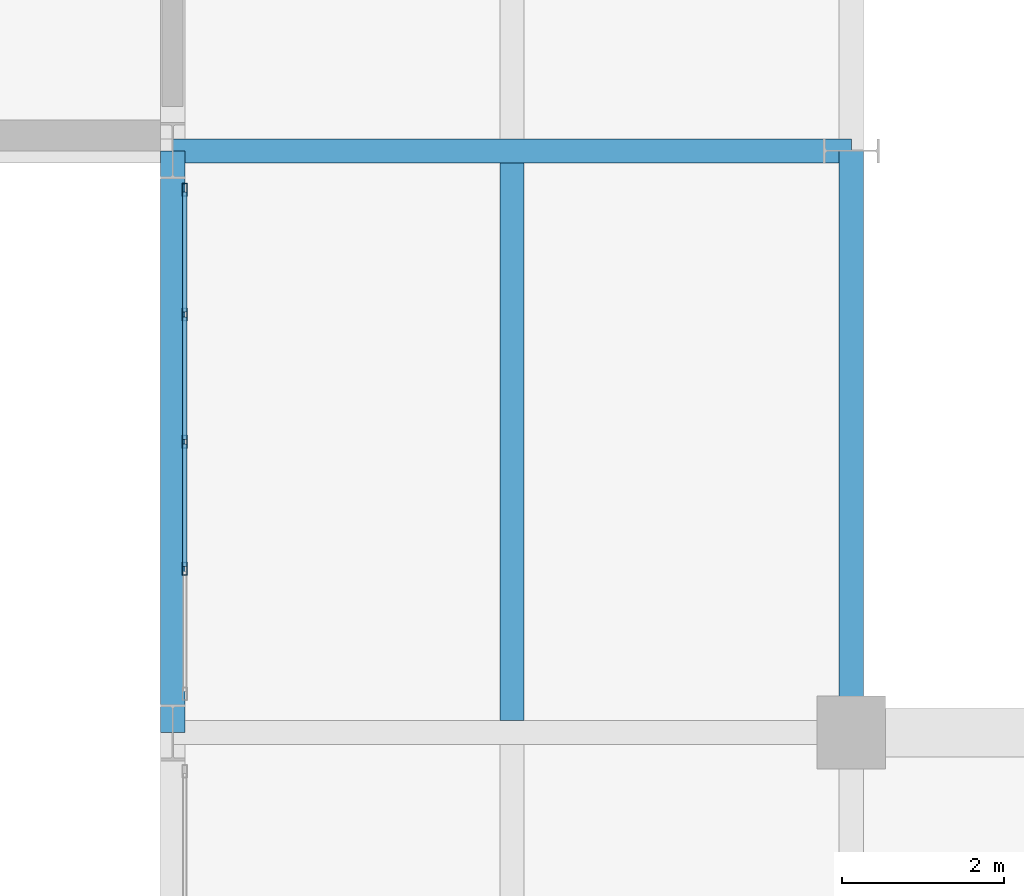
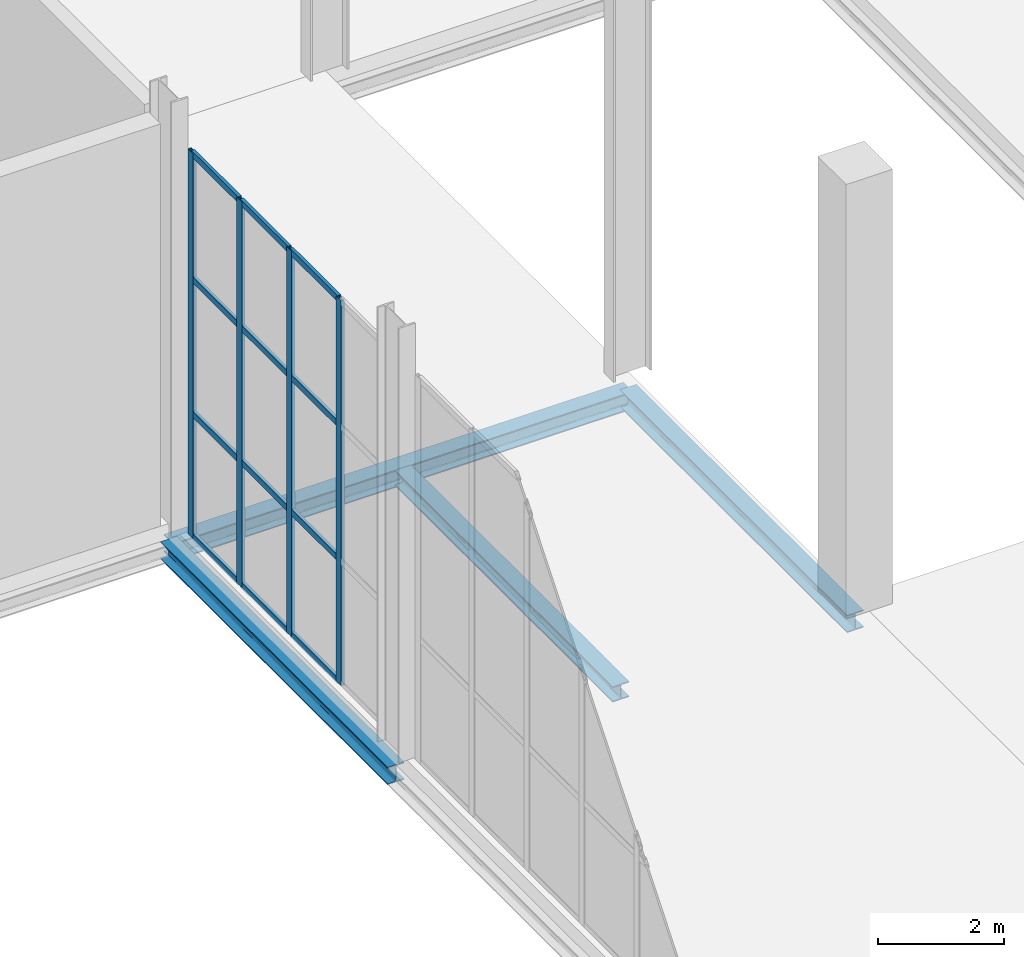
# One storey, part 21 of 131: 16 members, 4 beams, 1 element without a shape of its own.
"""IFC4 building model written with IfcOpenShell, lengths in metres."""

import ifcopenshell
import ifcopenshell.guid

model = None  # the IFC model being written
_history = None  # IfcOwnerHistory: only IFC2X3 demands one
_inside = {}  # id of a spatial element -> (the spatial element, [elements in it])
_under = {}  # id of a project, library or spatial element -> (it, [spatial elements below it])
_declared = {}  # id of a project -> (the project, [libraries it declares])
_typed = {}  # id of a type object -> (the type object, [elements of that type])
_made_of = {}  # id of a material, layer set ... -> (it, [elements and type objects made of it])


def new_model(schema):
    """Start an empty IFC model of exactly this schema.

    Asked for "IFC4X3", IfcOpenShell would pick the latest addendum, in which some entities
    have other attributes; the version numbers below select the first issue.
    IFC2X3 requires an IfcOwnerHistory on every rooted entity: one is made here for all.
    """
    global model, _history
    if schema == "IFC4X3":
        model = ifcopenshell.file(schema_version=(4, 3, 0, 0))
    else:
        model = ifcopenshell.file(schema=schema)
    _inside.clear()
    _under.clear()
    _declared.clear()
    _typed.clear()
    _made_of.clear()
    _history = None
    if model.schema == "IFC2X3":
        org = make("IfcOrganization", Name="unknown")
        user = make(
            "IfcPersonAndOrganization",
            ThePerson=make("IfcPerson", FamilyName="unknown"),
            TheOrganization=org,
        )
        app = make(
            "IfcApplication",
            ApplicationDeveloper=org,
            Version="unknown",
            ApplicationFullName="unknown",
            ApplicationIdentifier="unknown",
        )
        _history = make(
            "IfcOwnerHistory",
            OwningUser=user,
            OwningApplication=app,
            ChangeAction="ADDED",
            CreationDate=0,
        )
    return model


def make(cls, **values):
    """One entity of the class cls with the attributes given. An attribute that is None is left unset."""
    return model.create_entity(
        cls, **{name: value for name, value in values.items() if value is not None}
    )


def rooted(cls, **values):
    """An entity with a GlobalId (a new one), such as an element, a storey or a relation."""
    return make(cls, GlobalId=ifcopenshell.guid.new(), OwnerHistory=_history, **values)


def si_unit(unit_type, name, prefix=None):
    """IfcSIUnit, for example si_unit("LENGTHUNIT", "METRE", prefix="MILLI")."""
    return make("IfcSIUnit", UnitType=unit_type, Prefix=prefix, Name=name)


def assignment(units):
    """IfcUnitAssignment: the units of a project."""
    return None if units is None else make("IfcUnitAssignment", Units=units)


def point(xyz):
    """IfcCartesianPoint."""
    return None if xyz is None else make("IfcCartesianPoint", Coordinates=xyz)


def direction(xyz):
    """IfcDirection."""
    return None if xyz is None else make("IfcDirection", DirectionRatios=xyz)


def frame(location, z_axis=None, x_axis=None):
    """IfcAxis2Placement3D, a coordinate frame: its origin and axes. An axis left out is left unset."""
    return make(
        "IfcAxis2Placement3D",
        Location=point(location),
        Axis=direction(z_axis),
        RefDirection=direction(x_axis),
    )


def frame_2d(location, x_axis=None):
    """IfcAxis2Placement2D, a coordinate frame in the plane: its origin and x axis."""
    return make(
        "IfcAxis2Placement2D", Location=point(location), RefDirection=direction(x_axis)
    )


def origin():
    """The frame at (0, 0, 0) with its axes left unset."""
    return frame((0.0, 0.0, 0.0))


def origin_2d():
    """The frame at (0, 0) in the plane with its x axis left unset."""
    return frame_2d((0.0, 0.0))


def place(relative_to, where):
    """IfcLocalPlacement: puts the frame where relative to a parent placement (None: the world)."""
    return make(
        "IfcLocalPlacement", PlacementRelTo=relative_to, RelativePlacement=where
    )


def context(
    kind, dimensions, precision=None, world=None, true_north=None, identifier=None
):
    """IfcGeometricRepresentationContext, for example the 3D "Model" context."""
    return make(
        "IfcGeometricRepresentationContext",
        ContextIdentifier=identifier,
        ContextType=kind,
        CoordinateSpaceDimension=dimensions,
        Precision=precision,
        WorldCoordinateSystem=world,
        TrueNorth=true_north,
    )


def subcontext(parent, identifier, kind, view, scale=None):
    """IfcGeometricRepresentationSubContext, for example "Body" below "Model"."""
    return make(
        "IfcGeometricRepresentationSubContext",
        ContextIdentifier=identifier,
        ContextType=kind,
        ParentContext=parent,
        TargetScale=scale,
        TargetView=view,
    )


def project(units=None, contexts=None):
    """IfcProject with its units and contexts."""
    return rooted(
        "IfcProject",
        Name="project",
        RepresentationContexts=contexts,
        UnitsInContext=assignment(units),
    )


def spatial(cls, under=None, at=None, **own):
    """A site, building, storey or space (cls), placed at a placement, below another one or the project."""
    s = rooted(cls, ObjectPlacement=at, **own)
    if under is not None:
        _under.setdefault(under.id(), (under, []))[1].append(s)
    return s


def profile(cls, at=None, kind="AREA", **sizes):
    """A parametric profile (cls). Its sizes go by their IFC names, for example OverallWidth=200.0."""
    return make(cls, ProfileType=kind, Position=at, **sizes)


def hollow_rectangle(**sizes):
    """IfcRectangleHollowProfileDef."""
    return profile("IfcRectangleHollowProfileDef", **sizes)


def i_section(**sizes):
    """IfcIShapeProfileDef."""
    return profile("IfcIShapeProfileDef", **sizes)


def extrude(swept, where, along, depth):
    """IfcExtrudedAreaSolid: the profile swept, set in the frame where, extruded along a direction by depth."""
    return make(
        "IfcExtrudedAreaSolid",
        SweptArea=swept,
        Position=where,
        ExtrudedDirection=direction(along),
        Depth=depth,
    )


def shape(context_of_items, identifier, shape_type, items):
    """IfcShapeRepresentation: the items that make up one representation, for example the "Body"."""
    return make(
        "IfcShapeRepresentation",
        ContextOfItems=context_of_items,
        RepresentationIdentifier=identifier,
        RepresentationType=shape_type,
        Items=items,
    )


def material(Name=None, Category=None):
    """IfcMaterial."""
    return make("IfcMaterial", Name=Name, Category=Category)


def material_profile(
    of_material, cross_section, Name=None, Category=None, Priority=None
):
    """IfcMaterialProfile: a cross section and its material."""
    return make(
        "IfcMaterialProfile",
        Name=Name,
        Material=of_material,
        Profile=cross_section,
        Priority=Priority,
        Category=Category,
    )


def profile_set(profiles, Name=None, composite=None):
    """IfcMaterialProfileSet."""
    return make(
        "IfcMaterialProfileSet",
        Name=Name,
        MaterialProfiles=profiles,
        CompositeProfile=composite,
    )


def made_of(thing, what):
    """Note that an element or type object is made of a material, layer set ...; save() writes the relation."""
    if what is not None:
        _made_of.setdefault(what.id(), (what, []))[1].append(thing)
    return thing


def type_object(cls, material=None, **own):
    """A type object (cls), such as IfcWallType, which elements share."""
    return made_of(rooted(cls, **own), material)


def element(
    cls,
    number,
    at=None,
    inside=None,
    cuts=None,
    type_object=None,
    material=None,
    context=None,
    identifier="Body",
    shape_type=None,
    held_by="IfcProductDefinitionShape",
    body=None,
    shapes=None,
    **own,
):
    """One element of the class cls, such as IfcWall. Its Tag is "e" and its number.

    at: its placement. inside: the storey or other place that contains it. cuts: it is an
    opening in that element (IfcRelVoidsElement). A single representation is given by context,
    identifier, shape_type and body (its items); several are given by shapes. held_by: the class
    of the entity that holds the representations. save() writes the other relations.
    """
    e = rooted(cls, Tag="e%d" % number, ObjectPlacement=at, **own)
    if body is not None:
        shapes = [shape(context, identifier, shape_type, body)]
    if shapes is not None:
        e.Representation = make(held_by, Representations=shapes)
    if inside is not None:
        _inside.setdefault(inside.id(), (inside, []))[1].append(e)
    if cuts is not None:
        rooted(
            "IfcRelVoidsElement", RelatingBuildingElement=cuts, RelatedOpeningElement=e
        )
    if type_object is not None:
        _typed.setdefault(type_object.id(), (type_object, []))[1].append(e)
    return made_of(e, material)


def aggregate(whole, parts):
    """IfcRelAggregates: a whole, such as a stair, and the parts it consists of."""
    return rooted("IfcRelAggregates", RelatingObject=whole, RelatedObjects=parts)


def save(model, path):
    """Write the relations noted so far, then the file.

    IfcRelAggregates (storeys below a building ...), IfcRelContainedInSpatialStructure (elements
    in a storey), IfcRelDefinesByType, IfcRelAssociatesMaterial and IfcRelDeclares: one each for
    every whole, place, type object, material and project.
    """
    for whole, parts in _under.values():
        aggregate(whole, parts)
    for where, things in _inside.values():
        rooted(
            "IfcRelContainedInSpatialStructure",
            RelatedElements=things,
            RelatingStructure=where,
        )
    for kind, things in _typed.values():
        rooted("IfcRelDefinesByType", RelatedObjects=things, RelatingType=kind)
    for what, things in _made_of.values():
        rooted("IfcRelAssociatesMaterial", RelatedObjects=things, RelatingMaterial=what)
    for by, libraries in _declared.values():
        rooted("IfcRelDeclares", RelatingContext=by, RelatedDefinitions=libraries)
    model.write(path)


model = new_model("IFC4")

# Units and contexts
model_context = context("Model", 3, precision=1e-05, world=origin(), true_north=direction((0.0, 1.0)))
body_context = subcontext(model_context, "Body", "Model", "MODEL_VIEW")
ifc_project = project(units=[si_unit("LENGTHUNIT", "METRE"), si_unit("AREAUNIT", "SQUARE_METRE"), si_unit("VOLUMEUNIT", "CUBIC_METRE"), si_unit("PLANEANGLEUNIT", "RADIAN"), si_unit("MASSUNIT", "GRAM", prefix="KILO")], contexts=[model_context])

# Site, building, storey
site_placement = place(None, origin())
site = spatial("IfcSite", under=ifc_project, at=site_placement, CompositionType="ELEMENT")
building_placement = place(site_placement, origin())
building = spatial("IfcBuilding", under=site, at=building_placement, Name="Veltarok Museum of Natural Sciences", CompositionType="ELEMENT")
storey_placement = place(building_placement, origin())
storey = spatial("IfcBuildingStorey", under=building, at=storey_placement, Name="L00", CompositionType="ELEMENT", Elevation=0.0)

# Curtain wall, members
ifc_material_1 = material(Name="Low-iron triple insulated glass", Category="glass")
curtain_wall_type = type_object("IfcCurtainWallType", Name="Curtain Wall System CW-PAS-W-CD-630x745 (West Forecourt Passage C-D 630x745cm)", PredefinedType="NOTDEFINED", material=ifc_material_1)
curtain_wall_placement = place(storey_placement, origin())
curtain_wall = element("IfcCurtainWall", 1, at=curtain_wall_placement, inside=storey, type_object=curtain_wall_type, Name="Curtain Wall CW-PAS-W-CD-630x745 CW-0023", PredefinedType="NOTDEFINED")
ifc_material_2 = material(Name="Thermally broken anodised aluminium", Category="aluminium")
ifc_material_profile_1 = material_profile(ifc_material_2, hollow_rectangle(XDim=0.06005859375, YDim=0.1201171875, WallThickness=0.0048828125, at=origin_2d()), Name="CW TRANSOM 60x120x5")
ifc_profile_set_1 = profile_set([ifc_material_profile_1], Name="Thermally broken anodised aluminium")
member_type_1 = type_object("IfcMemberType", Name="Curtain Wall Horizontal Transom 60x120x5", PredefinedType="USERDEFINED", material=ifc_profile_set_1)
member_1_placement = place(storey_placement, frame((23.35009765625, 21.2548828125, 0.030029296875), z_axis=(0.0, 1.0, 0.0), x_axis=(-1.0, 0.0, 0.0)))
member_1 = element("IfcMember", 2, at=member_1_placement, type_object=member_type_1, Name="CW-PAS-W-CD-630x745 transom 2.1", ObjectType="TRANSOM", PredefinedType="USERDEFINED", context=body_context, shape_type="SweptSolid", body=[
    extrude(hollow_rectangle(XDim=0.06005859375, YDim=0.1201171875, WallThickness=0.0048828125, at=origin_2d()), origin(), (0.0, 0.0, 1.0), 1.51513671875),
])
member_2_placement = place(storey_placement, frame((23.35009765625, 21.2548828125, 2.39990234375), z_axis=(0.0, 1.0, 0.0), x_axis=(-1.0, 0.0, 0.0)))
member_2 = element("IfcMember", 3, at=member_2_placement, type_object=member_type_1, Name="CW-PAS-W-CD-630x745 transom 2.2", ObjectType="TRANSOM", PredefinedType="USERDEFINED", context=body_context, shape_type="SweptSolid", body=[
    extrude(hollow_rectangle(XDim=0.06005859375, YDim=0.1201171875, WallThickness=0.0048828125, at=origin_2d()), origin(), (0.0, 0.0, 1.0), 1.51513671875),
])
member_3_placement = place(storey_placement, frame((23.35009765625, 21.2548828125, 5.0), z_axis=(0.0, 1.0, 0.0), x_axis=(-1.0, 0.0, 0.0)))
member_3 = element("IfcMember", 4, at=member_3_placement, type_object=member_type_1, Name="CW-PAS-W-CD-630x745 transom 2.3", ObjectType="TRANSOM", PredefinedType="USERDEFINED", context=body_context, shape_type="SweptSolid", body=[
    extrude(hollow_rectangle(XDim=0.06005859375, YDim=0.1201171875, WallThickness=0.0048828125, at=origin_2d()), origin(), (0.0, 0.0, 1.0), 1.51513671875),
])
member_4_placement = place(storey_placement, frame((23.35009765625, 21.2548828125, 7.419921875), z_axis=(0.0, 1.0, 0.0), x_axis=(-1.0, 0.0, 0.0)))
member_4 = element("IfcMember", 5, at=member_4_placement, type_object=member_type_1, Name="CW-PAS-W-CD-630x745 transom 2.4", ObjectType="TRANSOM", PredefinedType="USERDEFINED", context=body_context, shape_type="SweptSolid", body=[
    extrude(hollow_rectangle(XDim=0.06005859375, YDim=0.1201171875, WallThickness=0.0048828125, at=origin_2d()), origin(), (0.0, 0.0, 1.0), 1.51513671875),
])
member_5_placement = place(storey_placement, frame((23.35009765625, 22.830078125, 0.030029296875), z_axis=(0.0, 1.0, 0.0), x_axis=(-1.0, 0.0, 0.0)))
member_5 = element("IfcMember", 6, at=member_5_placement, type_object=member_type_1, Name="CW-PAS-W-CD-630x745 transom 3.1", ObjectType="TRANSOM", PredefinedType="USERDEFINED", context=body_context, shape_type="SweptSolid", body=[
    extrude(hollow_rectangle(XDim=0.06005859375, YDim=0.1201171875, WallThickness=0.0048828125, at=origin_2d()), origin(), (0.0, 0.0, 1.0), 1.514892578125),
])
member_6_placement = place(storey_placement, frame((23.35009765625, 22.830078125, 2.39990234375), z_axis=(0.0, 1.0, 0.0), x_axis=(-1.0, 0.0, 0.0)))
member_6 = element("IfcMember", 7, at=member_6_placement, type_object=member_type_1, Name="CW-PAS-W-CD-630x745 transom 3.2", ObjectType="TRANSOM", PredefinedType="USERDEFINED", context=body_context, shape_type="SweptSolid", body=[
    extrude(hollow_rectangle(XDim=0.06005859375, YDim=0.1201171875, WallThickness=0.0048828125, at=origin_2d()), origin(), (0.0, 0.0, 1.0), 1.514892578125),
])
member_7_placement = place(storey_placement, frame((23.35009765625, 22.830078125, 5.0), z_axis=(0.0, 1.0, 0.0), x_axis=(-1.0, 0.0, 0.0)))
member_7 = element("IfcMember", 8, at=member_7_placement, type_object=member_type_1, Name="CW-PAS-W-CD-630x745 transom 3.3", ObjectType="TRANSOM", PredefinedType="USERDEFINED", context=body_context, shape_type="SweptSolid", body=[
    extrude(hollow_rectangle(XDim=0.06005859375, YDim=0.1201171875, WallThickness=0.0048828125, at=origin_2d()), origin(), (0.0, 0.0, 1.0), 1.514892578125),
])
member_8_placement = place(storey_placement, frame((23.35009765625, 22.830078125, 7.419921875), z_axis=(0.0, 1.0, 0.0), x_axis=(-1.0, 0.0, 0.0)))
member_8 = element("IfcMember", 9, at=member_8_placement, type_object=member_type_1, Name="CW-PAS-W-CD-630x745 transom 3.4", ObjectType="TRANSOM", PredefinedType="USERDEFINED", context=body_context, shape_type="SweptSolid", body=[
    extrude(hollow_rectangle(XDim=0.06005859375, YDim=0.1201171875, WallThickness=0.0048828125, at=origin_2d()), origin(), (0.0, 0.0, 1.0), 1.514892578125),
])
member_9_placement = place(storey_placement, frame((23.35009765625, 24.405029296875, 0.030029296875), z_axis=(0.0, 1.0, 0.0), x_axis=(-1.0, 0.0, 0.0)))
member_9 = element("IfcMember", 10, at=member_9_placement, type_object=member_type_1, Name="CW-PAS-W-CD-630x745 transom 4.1", ObjectType="TRANSOM", PredefinedType="USERDEFINED", context=body_context, shape_type="SweptSolid", body=[
    extrude(hollow_rectangle(XDim=0.06005859375, YDim=0.1201171875, WallThickness=0.0048828125, at=origin_2d()), origin(), (0.0, 0.0, 1.0), 1.48486328125),
])
member_10_placement = place(storey_placement, frame((23.35009765625, 24.405029296875, 2.39990234375), z_axis=(0.0, 1.0, 0.0), x_axis=(-1.0, 0.0, 0.0)))
member_10 = element("IfcMember", 11, at=member_10_placement, type_object=member_type_1, Name="CW-PAS-W-CD-630x745 transom 4.2", ObjectType="TRANSOM", PredefinedType="USERDEFINED", context=body_context, shape_type="SweptSolid", body=[
    extrude(hollow_rectangle(XDim=0.06005859375, YDim=0.1201171875, WallThickness=0.0048828125, at=origin_2d()), origin(), (0.0, 0.0, 1.0), 1.48486328125),
])
member_11_placement = place(storey_placement, frame((23.35009765625, 24.405029296875, 5.0), z_axis=(0.0, 1.0, 0.0), x_axis=(-1.0, 0.0, 0.0)))
member_11 = element("IfcMember", 12, at=member_11_placement, type_object=member_type_1, Name="CW-PAS-W-CD-630x745 transom 4.3", ObjectType="TRANSOM", PredefinedType="USERDEFINED", context=body_context, shape_type="SweptSolid", body=[
    extrude(hollow_rectangle(XDim=0.06005859375, YDim=0.1201171875, WallThickness=0.0048828125, at=origin_2d()), origin(), (0.0, 0.0, 1.0), 1.48486328125),
])
member_12_placement = place(storey_placement, frame((23.35009765625, 24.405029296875, 7.419921875), z_axis=(0.0, 1.0, 0.0), x_axis=(-1.0, 0.0, 0.0)))
member_12 = element("IfcMember", 13, at=member_12_placement, type_object=member_type_1, Name="CW-PAS-W-CD-630x745 transom 4.4", ObjectType="TRANSOM", PredefinedType="USERDEFINED", context=body_context, shape_type="SweptSolid", body=[
    extrude(hollow_rectangle(XDim=0.06005859375, YDim=0.1201171875, WallThickness=0.0048828125, at=origin_2d()), origin(), (0.0, 0.0, 1.0), 1.48486328125),
])
ifc_material_profile_2 = material_profile(ifc_material_2, hollow_rectangle(XDim=0.06005859375, YDim=0.159912109375, WallThickness=0.0048828125, at=origin_2d()), Name="CW MULLION 60x160x5")
ifc_profile_set_2 = profile_set([ifc_material_profile_2], Name="Thermally broken anodised aluminium")
member_type_2 = type_object("IfcMemberType", Name="Curtain Wall Vertical Mullion 60x160x5", PredefinedType="MULLION", material=ifc_profile_set_2)
member_13_placement = place(storey_placement, frame((23.35009765625, 21.22509765625, 0.0), z_axis=(0.0, 0.0, 1.0), x_axis=(-1.0, 0.0, 0.0)))
member_13 = element("IfcMember", 14, at=member_13_placement, type_object=member_type_2, Name="CW-PAS-W-CD-630x745 mullion 2", PredefinedType="MULLION", context=body_context, shape_type="SweptSolid", body=[
    extrude(hollow_rectangle(XDim=0.06005859375, YDim=0.159912109375, WallThickness=0.0048828125, at=origin_2d()), origin(), (0.0, 0.0, 1.0), 7.449951171875),
])
member_14_placement = place(storey_placement, frame((23.35009765625, 22.800048828125, 0.0), z_axis=(0.0, 0.0, 1.0), x_axis=(-1.0, 0.0, 0.0)))
member_14 = element("IfcMember", 15, at=member_14_placement, type_object=member_type_2, Name="CW-PAS-W-CD-630x745 mullion 3", PredefinedType="MULLION", context=body_context, shape_type="SweptSolid", body=[
    extrude(hollow_rectangle(XDim=0.06005859375, YDim=0.159912109375, WallThickness=0.0048828125, at=origin_2d()), origin(), (0.0, 0.0, 1.0), 7.449951171875),
])
member_15_placement = place(storey_placement, frame((23.35009765625, 24.375, 0.0), z_axis=(0.0, 0.0, 1.0), x_axis=(-1.0, 0.0, 0.0)))
member_15 = element("IfcMember", 16, at=member_15_placement, type_object=member_type_2, Name="CW-PAS-W-CD-630x745 mullion 4", PredefinedType="MULLION", context=body_context, shape_type="SweptSolid", body=[
    extrude(hollow_rectangle(XDim=0.06005859375, YDim=0.159912109375, WallThickness=0.0048828125, at=origin_2d()), origin(), (0.0, 0.0, 1.0), 7.449951171875),
])
member_16_placement = place(storey_placement, frame((23.35009765625, 25.919921875, 0.0), z_axis=(0.0, 0.0, 1.0), x_axis=(-1.0, 0.0, 0.0)))
member_16 = element("IfcMember", 17, at=member_16_placement, type_object=member_type_2, Name="CW-PAS-W-CD-630x745 mullion 5", PredefinedType="MULLION", context=body_context, shape_type="SweptSolid", body=[
    extrude(hollow_rectangle(XDim=0.06005859375, YDim=0.159912109375, WallThickness=0.0048828125, at=origin_2d()), origin(), (0.0, 0.0, 1.0), 7.449951171875),
])
aggregate(curtain_wall, [member_13, member_14, member_15, member_16, member_1, member_2, member_3, member_4, member_5, member_6, member_7, member_8, member_9, member_10, member_11, member_12])

# Beams
ifc_material_3 = material(Name="Steel S355J2", Category="steel")
ifc_material_profile_3 = material_profile(ifc_material_3, i_section(OverallWidth=0.300048828125, OverallDepth=0.300048828125, WebThickness=0.010986328125, FlangeThickness=0.01904296875, FilletRadius=0.027099609375, at=origin_2d()), Name="HEB 300")
ifc_profile_set_3 = profile_set([ifc_material_profile_3], Name="Steel S355J2")
beam_type_1 = type_object("IfcBeamType", Name="Laboratory Floor Joist HEB 300", PredefinedType="JOIST", material=ifc_profile_set_3)
beam_1_placement = place(storey_placement, frame((27.39990234375, 19.347900390625, -0.449951171875), z_axis=(0.0, 1.0, 0.0), x_axis=(-1.0, 0.0, 0.0)))
element("IfcBeam", 18, at=beam_1_placement, inside=storey, type_object=beam_type_1, Name="Secondary Joist BM-J10 L00 3-4/C-D.1", PredefinedType="JOIST", context=body_context, shape_type="SweptSolid", body=[
    extrude(i_section(OverallWidth=0.300048828125, OverallDepth=0.300048828125, WebThickness=0.010986328125, FlangeThickness=0.01904296875, FilletRadius=0.027099609375, at=origin_2d()), origin(), (0.0, 0.0, 1.0), 6.904052734375),
])
ifc_material_profile_4 = material_profile(ifc_material_3, i_section(OverallWidth=0.300048828125, OverallDepth=0.340087890625, WebThickness=0.011962890625, FlangeThickness=0.021484375, FilletRadius=0.027099609375, at=origin_2d()), Name="HEB 340")
ifc_profile_set_4 = profile_set([ifc_material_profile_4], Name="Steel S355J2")
beam_type_2 = type_object("IfcBeamType", Name="Perimeter Bridge Spandrel HEB 340", PredefinedType="SPANDREL", material=ifc_profile_set_4)
beam_2_placement = place(storey_placement, frame((23.199951171875, 26.39990234375, -0.469970703125), z_axis=(1.0, 0.0, 0.0), x_axis=(0.0, 1.0, 0.0)))
element("IfcBeam", 19, at=beam_2_placement, inside=storey, type_object=beam_type_2, Name="Beam BM-SP07 L00 3-4/D", PredefinedType="SPANDREL", context=body_context, shape_type="SweptSolid", body=[
    extrude(i_section(OverallWidth=0.300048828125, OverallDepth=0.340087890625, WebThickness=0.011962890625, FlangeThickness=0.021484375, FilletRadius=0.027099609375, at=origin_2d()), origin(), (0.0, 0.0, 1.0), 8.400146484375),
])
for number, where, z_axis, x_axis, name in (
    (20, (23.199951171875, 19.199951171875, -0.469970703125), (0.0, 1.0, 0.0), (-1.0, 0.0, 0.0), "Beam BM-SP07 L00 3/C-D"),
    (21, (31.60009765625, 19.199951171875, -0.469970703125), (0.0, 1.0, 0.0), (-1.0, 0.0, 0.0), "Beam BM-SP07 L00 4/C-D"),
):
    element("IfcBeam", number, at=place(storey_placement, frame(where, z_axis=z_axis, x_axis=x_axis)), inside=storey, type_object=beam_type_2, Name=name, PredefinedType="SPANDREL", context=body_context, shape_type="SweptSolid", body=[
        extrude(i_section(OverallWidth=0.300048828125, OverallDepth=0.340087890625, WebThickness=0.011962890625, FlangeThickness=0.021484375, FilletRadius=0.027099609375, at=origin_2d()), origin(), (0.0, 0.0, 1.0), 7.199951171875),
    ])

save(model, "model.ifc")
